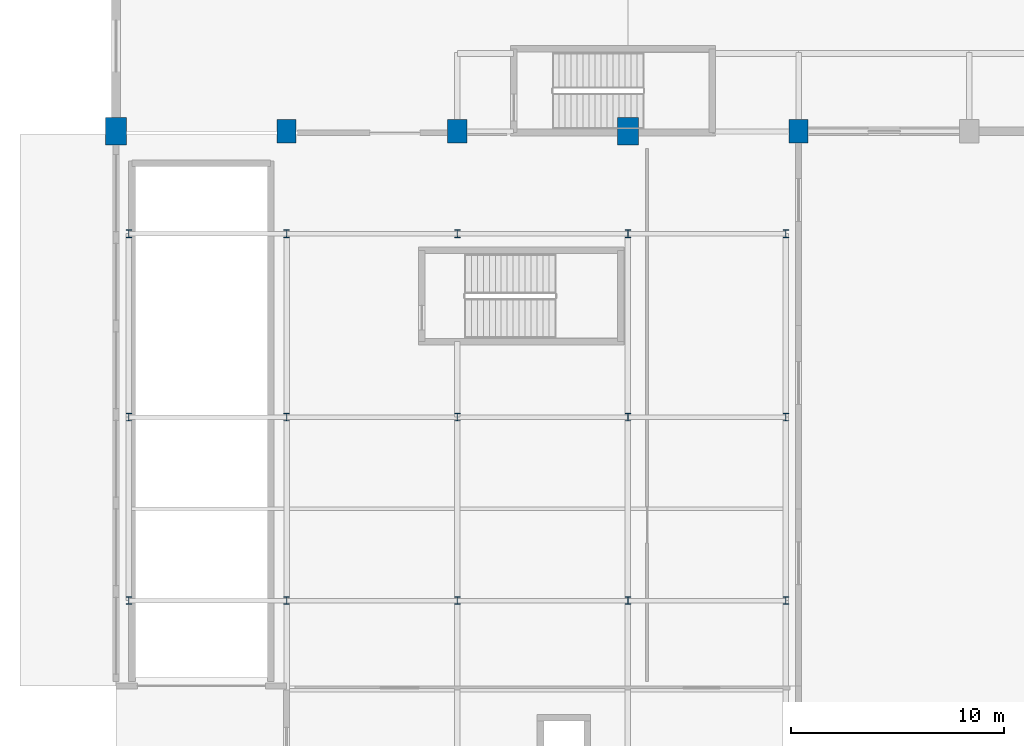
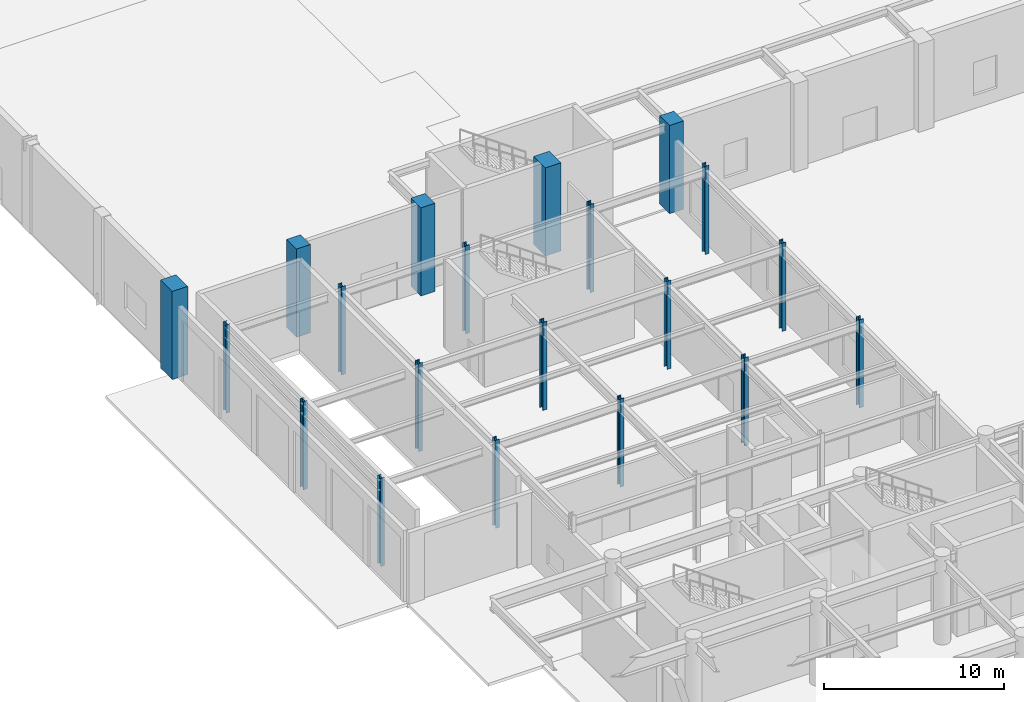
# One storey, part 3 of 49: 20 columns.
"""IFC4 building model written with IfcOpenShell, lengths in metres."""

import ifcopenshell
import ifcopenshell.guid

model = None  # the IFC model being written
_history = None  # IfcOwnerHistory: only IFC2X3 demands one
_inside = {}  # id of a spatial element -> (the spatial element, [elements in it])
_under = {}  # id of a project, library or spatial element -> (it, [spatial elements below it])
_declared = {}  # id of a project -> (the project, [libraries it declares])
_typed = {}  # id of a type object -> (the type object, [elements of that type])
_made_of = {}  # id of a material, layer set ... -> (it, [elements and type objects made of it])


def new_model(schema):
    """Start an empty IFC model of exactly this schema.

    Asked for "IFC4X3", IfcOpenShell would pick the latest addendum, in which some entities
    have other attributes; the version numbers below select the first issue.
    IFC2X3 requires an IfcOwnerHistory on every rooted entity: one is made here for all.
    """
    global model, _history
    if schema == "IFC4X3":
        model = ifcopenshell.file(schema_version=(4, 3, 0, 0))
    else:
        model = ifcopenshell.file(schema=schema)
    _inside.clear()
    _under.clear()
    _declared.clear()
    _typed.clear()
    _made_of.clear()
    _history = None
    if model.schema == "IFC2X3":
        org = make("IfcOrganization", Name="unknown")
        user = make(
            "IfcPersonAndOrganization",
            ThePerson=make("IfcPerson", FamilyName="unknown"),
            TheOrganization=org,
        )
        app = make(
            "IfcApplication",
            ApplicationDeveloper=org,
            Version="unknown",
            ApplicationFullName="unknown",
            ApplicationIdentifier="unknown",
        )
        _history = make(
            "IfcOwnerHistory",
            OwningUser=user,
            OwningApplication=app,
            ChangeAction="ADDED",
            CreationDate=0,
        )
    return model


def make(cls, **values):
    """One entity of the class cls with the attributes given. An attribute that is None is left unset."""
    return model.create_entity(
        cls, **{name: value for name, value in values.items() if value is not None}
    )


def rooted(cls, **values):
    """An entity with a GlobalId (a new one), such as an element, a storey or a relation."""
    return make(cls, GlobalId=ifcopenshell.guid.new(), OwnerHistory=_history, **values)


def si_unit(unit_type, name, prefix=None):
    """IfcSIUnit, for example si_unit("LENGTHUNIT", "METRE", prefix="MILLI")."""
    return make("IfcSIUnit", UnitType=unit_type, Prefix=prefix, Name=name)


def assignment(units):
    """IfcUnitAssignment: the units of a project."""
    return None if units is None else make("IfcUnitAssignment", Units=units)


def point(xyz):
    """IfcCartesianPoint."""
    return None if xyz is None else make("IfcCartesianPoint", Coordinates=xyz)


def direction(xyz):
    """IfcDirection."""
    return None if xyz is None else make("IfcDirection", DirectionRatios=xyz)


def frame(location, z_axis=None, x_axis=None):
    """IfcAxis2Placement3D, a coordinate frame: its origin and axes. An axis left out is left unset."""
    return make(
        "IfcAxis2Placement3D",
        Location=point(location),
        Axis=direction(z_axis),
        RefDirection=direction(x_axis),
    )


def frame_2d(location, x_axis=None):
    """IfcAxis2Placement2D, a coordinate frame in the plane: its origin and x axis."""
    return make(
        "IfcAxis2Placement2D", Location=point(location), RefDirection=direction(x_axis)
    )


def origin():
    """The frame at (0, 0, 0) with its axes left unset."""
    return frame((0.0, 0.0, 0.0))


def origin_2d():
    """The frame at (0, 0) in the plane with its x axis left unset."""
    return frame_2d((0.0, 0.0))


def place(relative_to, where):
    """IfcLocalPlacement: puts the frame where relative to a parent placement (None: the world)."""
    return make(
        "IfcLocalPlacement", PlacementRelTo=relative_to, RelativePlacement=where
    )


def context(
    kind, dimensions, precision=None, world=None, true_north=None, identifier=None
):
    """IfcGeometricRepresentationContext, for example the 3D "Model" context."""
    return make(
        "IfcGeometricRepresentationContext",
        ContextIdentifier=identifier,
        ContextType=kind,
        CoordinateSpaceDimension=dimensions,
        Precision=precision,
        WorldCoordinateSystem=world,
        TrueNorth=true_north,
    )


def subcontext(parent, identifier, kind, view, scale=None):
    """IfcGeometricRepresentationSubContext, for example "Body" below "Model"."""
    return make(
        "IfcGeometricRepresentationSubContext",
        ContextIdentifier=identifier,
        ContextType=kind,
        ParentContext=parent,
        TargetScale=scale,
        TargetView=view,
    )


def project(units=None, contexts=None):
    """IfcProject with its units and contexts."""
    return rooted(
        "IfcProject",
        Name="project",
        RepresentationContexts=contexts,
        UnitsInContext=assignment(units),
    )


def spatial(cls, under=None, at=None, **own):
    """A site, building, storey or space (cls), placed at a placement, below another one or the project."""
    s = rooted(cls, ObjectPlacement=at, **own)
    if under is not None:
        _under.setdefault(under.id(), (under, []))[1].append(s)
    return s


def profile(cls, at=None, kind="AREA", **sizes):
    """A parametric profile (cls). Its sizes go by their IFC names, for example OverallWidth=200.0."""
    return make(cls, ProfileType=kind, Position=at, **sizes)


def rectangle(**sizes):
    """IfcRectangleProfileDef."""
    return profile("IfcRectangleProfileDef", **sizes)


def i_section(**sizes):
    """IfcIShapeProfileDef."""
    return profile("IfcIShapeProfileDef", **sizes)


def extrude(swept, where, along, depth):
    """IfcExtrudedAreaSolid: the profile swept, set in the frame where, extruded along a direction by depth."""
    return make(
        "IfcExtrudedAreaSolid",
        SweptArea=swept,
        Position=where,
        ExtrudedDirection=direction(along),
        Depth=depth,
    )


def shape(context_of_items, identifier, shape_type, items):
    """IfcShapeRepresentation: the items that make up one representation, for example the "Body"."""
    return make(
        "IfcShapeRepresentation",
        ContextOfItems=context_of_items,
        RepresentationIdentifier=identifier,
        RepresentationType=shape_type,
        Items=items,
    )


def material(Name=None, Category=None):
    """IfcMaterial."""
    return make("IfcMaterial", Name=Name, Category=Category)


def material_profile(
    of_material, cross_section, Name=None, Category=None, Priority=None
):
    """IfcMaterialProfile: a cross section and its material."""
    return make(
        "IfcMaterialProfile",
        Name=Name,
        Material=of_material,
        Profile=cross_section,
        Priority=Priority,
        Category=Category,
    )


def profile_set(profiles, Name=None, composite=None):
    """IfcMaterialProfileSet."""
    return make(
        "IfcMaterialProfileSet",
        Name=Name,
        MaterialProfiles=profiles,
        CompositeProfile=composite,
    )


def made_of(thing, what):
    """Note that an element or type object is made of a material, layer set ...; save() writes the relation."""
    if what is not None:
        _made_of.setdefault(what.id(), (what, []))[1].append(thing)
    return thing


def type_object(cls, material=None, **own):
    """A type object (cls), such as IfcWallType, which elements share."""
    return made_of(rooted(cls, **own), material)


def element(
    cls,
    number,
    at=None,
    inside=None,
    cuts=None,
    type_object=None,
    material=None,
    context=None,
    identifier="Body",
    shape_type=None,
    held_by="IfcProductDefinitionShape",
    body=None,
    shapes=None,
    **own,
):
    """One element of the class cls, such as IfcWall. Its Tag is "e" and its number.

    at: its placement. inside: the storey or other place that contains it. cuts: it is an
    opening in that element (IfcRelVoidsElement). A single representation is given by context,
    identifier, shape_type and body (its items); several are given by shapes. held_by: the class
    of the entity that holds the representations. save() writes the other relations.
    """
    e = rooted(cls, Tag="e%d" % number, ObjectPlacement=at, **own)
    if body is not None:
        shapes = [shape(context, identifier, shape_type, body)]
    if shapes is not None:
        e.Representation = make(held_by, Representations=shapes)
    if inside is not None:
        _inside.setdefault(inside.id(), (inside, []))[1].append(e)
    if cuts is not None:
        rooted(
            "IfcRelVoidsElement", RelatingBuildingElement=cuts, RelatedOpeningElement=e
        )
    if type_object is not None:
        _typed.setdefault(type_object.id(), (type_object, []))[1].append(e)
    return made_of(e, material)


def aggregate(whole, parts):
    """IfcRelAggregates: a whole, such as a stair, and the parts it consists of."""
    return rooted("IfcRelAggregates", RelatingObject=whole, RelatedObjects=parts)


def save(model, path):
    """Write the relations noted so far, then the file.

    IfcRelAggregates (storeys below a building ...), IfcRelContainedInSpatialStructure (elements
    in a storey), IfcRelDefinesByType, IfcRelAssociatesMaterial and IfcRelDeclares: one each for
    every whole, place, type object, material and project.
    """
    for whole, parts in _under.values():
        aggregate(whole, parts)
    for where, things in _inside.values():
        rooted(
            "IfcRelContainedInSpatialStructure",
            RelatedElements=things,
            RelatingStructure=where,
        )
    for kind, things in _typed.values():
        rooted("IfcRelDefinesByType", RelatedObjects=things, RelatingType=kind)
    for what, things in _made_of.values():
        rooted("IfcRelAssociatesMaterial", RelatedObjects=things, RelatingMaterial=what)
    for by, libraries in _declared.values():
        rooted("IfcRelDeclares", RelatingContext=by, RelatedDefinitions=libraries)
    model.write(path)


model = new_model("IFC4")

# Units and contexts
model_context = context("Model", 3, precision=1e-05, world=origin(), true_north=direction((0.0, 1.0)))
body_context = subcontext(model_context, "Body", "Model", "MODEL_VIEW")
ifc_project = project(units=[si_unit("LENGTHUNIT", "METRE"), si_unit("AREAUNIT", "SQUARE_METRE"), si_unit("VOLUMEUNIT", "CUBIC_METRE"), si_unit("PLANEANGLEUNIT", "RADIAN"), si_unit("MASSUNIT", "GRAM", prefix="KILO")], contexts=[model_context])

# Site, building, storey
site_placement = place(None, origin())
site = spatial("IfcSite", under=ifc_project, at=site_placement, CompositionType="ELEMENT")
building_placement = place(site_placement, origin())
building = spatial("IfcBuilding", under=site, at=building_placement, Name="Tlacozan Convention Centre", CompositionType="ELEMENT")
storey_placement = place(building_placement, origin())
storey = spatial("IfcBuildingStorey", under=building, at=storey_placement, Name="L00", CompositionType="ELEMENT", Elevation=0.0)

# Columns
ifc_material_1 = material(Name="Concrete C40/50", Category="concrete")
ifc_material_profile_1 = material_profile(ifc_material_1, rectangle(XDim=0.89990234375, YDim=1.10009765625, at=origin_2d()), Name="RC 900x1100")
ifc_profile_set_1 = profile_set([ifc_material_profile_1], Name="Concrete C40/50")
column_type_1 = type_object("IfcColumnType", Name="Column Buttress RC 900x1100", PredefinedType="COLUMN", material=ifc_profile_set_1)
for number, where, z_axis, x_axis, name in (
    (1, (8.0, 62.0, 0.0), (0.0, 0.0, 1.0), (1.0, 0.0, 0.0), "L00 Column 74"),
    (2, (16.0, 62.0, 0.0), (0.0, 0.0, 1.0), (1.0, 0.0, 0.0), "L00 Column 123"),
    (3, (32.0, 62.0, 0.0), (0.0, 0.0, 1.0), (1.0, 0.0, 0.0), "L00 Column 221"),
):
    element("IfcColumn", number, at=place(storey_placement, frame(where, z_axis=z_axis, x_axis=x_axis)), inside=storey, type_object=column_type_1, Name=name, PredefinedType="COLUMN", context=body_context, shape_type="SweptSolid", body=[
        extrude(rectangle(XDim=0.89990234375, YDim=1.10009765625, at=origin_2d()), origin(), (0.0, 0.0, 1.0), 6.0),
    ])
ifc_material_profile_2 = material_profile(ifc_material_1, rectangle(XDim=1.0, YDim=1.300048828125, at=origin_2d()), Name="RC 1000x1300")
ifc_profile_set_2 = profile_set([ifc_material_profile_2], Name="Concrete C40/50")
column_type_2 = type_object("IfcColumnType", Name="Column Mega Buttress RC 1000x1300", PredefinedType="COLUMN", material=ifc_profile_set_2)
for number, where, z_axis, x_axis, name in (
    (4, (0.0, 62.0, 0.0), (0.0, 0.0, 1.0), (1.0, 0.0, 0.0), "L00 Column 2"),
    (5, (24.0, 62.0, 0.0), (0.0, 0.0, 1.0), (1.0, 0.0, 0.0), "L00 Column 172"),
):
    element("IfcColumn", number, at=place(storey_placement, frame(where, z_axis=z_axis, x_axis=x_axis)), inside=storey, type_object=column_type_2, Name=name, PredefinedType="COLUMN", context=body_context, shape_type="SweptSolid", body=[
        extrude(rectangle(XDim=1.0, YDim=1.300048828125, at=origin_2d()), origin(), (0.0, 0.0, 1.0), 6.0),
    ])
ifc_material_2 = material(Name="Steel ASTM A992 Grade 50", Category="steel")
ifc_material_profile_3 = material_profile(ifc_material_2, i_section(OverallWidth=0.257080078125, OverallDepth=0.363037109375, WebThickness=0.012939453125, FlangeThickness=0.021728515625, FilletRadius=0.014892578125, at=origin_2d()), Name="IR 356x122.0")
ifc_profile_set_3 = profile_set([ifc_material_profile_3], Name="Steel ASTM A992 Grade 50")
column_type_3 = type_object("IfcColumnType", Name="Column Steel IR 356x122", PredefinedType="COLUMN", material=ifc_profile_set_3)
for number, where, z_axis, x_axis, name in (
    (6, (0.60009765625, 40.0, 0.0), (0.0, 0.0, 1.0), (1.0, 0.0, 0.0), "L00 Column 29"),
    (7, (0.60009765625, 48.60009765625, 0.0), (0.0, 0.0, 1.0), (1.0, 0.0, 0.0), "L00 Column 32"),
    (8, (0.60009765625, 57.199951171875, 0.0), (0.0, 0.0, 1.0), (1.0, 0.0, 0.0), "L00 Column 35"),
    (9, (8.0, 40.0, 0.0), (0.0, 0.0, 1.0), (1.0, 0.0, 0.0), "L00 Column 65"),
    (10, (8.0, 48.60009765625, 0.0), (0.0, 0.0, 1.0), (1.0, 0.0, 0.0), "L00 Column 68"),
    (11, (8.0, 57.199951171875, 0.0), (0.0, 0.0, 1.0), (1.0, 0.0, 0.0), "L00 Column 71"),
    (12, (16.0, 40.0, 0.0), (0.0, 0.0, 1.0), (1.0, 0.0, 0.0), "L00 Column 114"),
    (13, (16.0, 48.60009765625, 0.0), (0.0, 0.0, 1.0), (1.0, 0.0, 0.0), "L00 Column 117"),
    (14, (16.0, 57.199951171875, 0.0), (0.0, 0.0, 1.0), (1.0, 0.0, 0.0), "L00 Column 120"),
    (15, (24.0, 40.0, 0.0), (0.0, 0.0, 1.0), (1.0, 0.0, 0.0), "L00 Column 163"),
    (16, (24.0, 48.60009765625, 0.0), (0.0, 0.0, 1.0), (1.0, 0.0, 0.0), "L00 Column 166"),
    (17, (24.0, 57.199951171875, 0.0), (0.0, 0.0, 1.0), (1.0, 0.0, 0.0), "L00 Column 169"),
    (18, (31.39990234375, 40.0, 0.0), (0.0, 0.0, 1.0), (1.0, 0.0, 0.0), "L00 Column 188"),
    (19, (31.39990234375, 48.60009765625, 0.0), (0.0, 0.0, 1.0), (1.0, 0.0, 0.0), "L00 Column 191"),
    (20, (31.39990234375, 57.199951171875, 0.0), (0.0, 0.0, 1.0), (1.0, 0.0, 0.0), "L00 Column 194"),
):
    element("IfcColumn", number, at=place(storey_placement, frame(where, z_axis=z_axis, x_axis=x_axis)), inside=storey, type_object=column_type_3, Name=name, PredefinedType="COLUMN", context=body_context, shape_type="SweptSolid", body=[
        extrude(i_section(OverallWidth=0.257080078125, OverallDepth=0.363037109375, WebThickness=0.012939453125, FlangeThickness=0.021728515625, FilletRadius=0.014892578125, at=origin_2d()), origin(), (0.0, 0.0, 1.0), 6.0),
    ])

save(model, "model.ifc")
